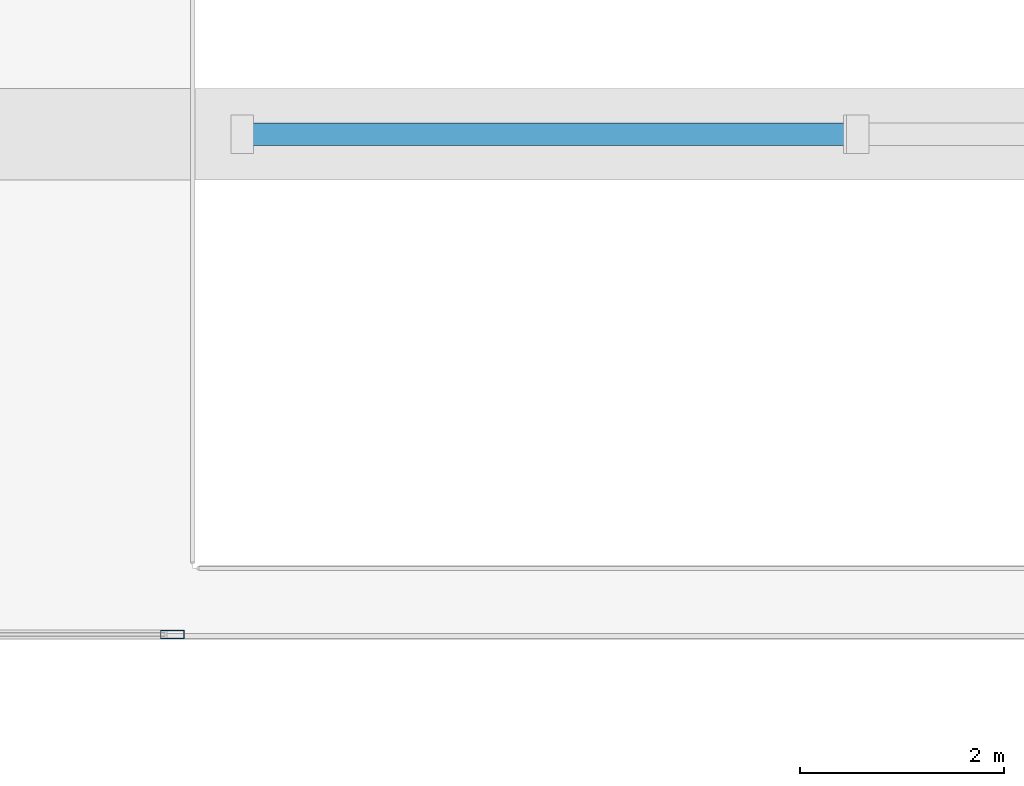
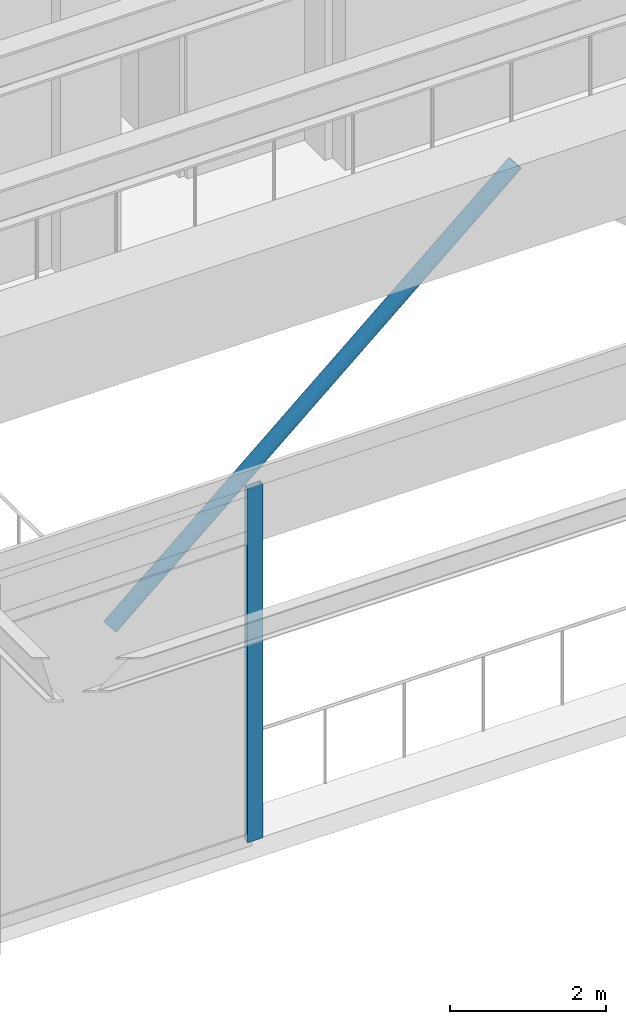
# One storey, part 4 of 26: 2 members, 1 element without a shape of its own.
"""IFC4 building model written with IfcOpenShell, lengths in metres."""

from ifc_helpers import new_model, si_unit, direction, frame, origin, origin_2d, place, context, subcontext, project, spatial, hollow_rectangle, hollow_circle, extrude, material, material_profile, profile_set, type_object, element, aggregate, save


model = new_model("IFC4")

# Units and contexts
model_context = context("Model", 3, precision=1e-05, world=origin(), true_north=direction((0.0, 1.0)))
body_context = subcontext(model_context, "Body", "Model", "MODEL_VIEW")
ifc_project = project(units=[si_unit("LENGTHUNIT", "METRE"), si_unit("AREAUNIT", "SQUARE_METRE"), si_unit("VOLUMEUNIT", "CUBIC_METRE"), si_unit("PLANEANGLEUNIT", "RADIAN"), si_unit("MASSUNIT", "GRAM", prefix="KILO")], contexts=[model_context])

# Site, building, storey
site_placement = place(None, origin())
site = spatial("IfcSite", under=ifc_project, at=site_placement, CompositionType="ELEMENT")
building_placement = place(site_placement, origin())
building = spatial("IfcBuilding", under=site, at=building_placement, Name="Kovane Verandah Tower", CompositionType="ELEMENT")
storey_placement = place(building_placement, frame((0.0, 0.0, 301.0)))
storey = spatial("IfcBuildingStorey", under=building, at=storey_placement, Name="L70", CompositionType="ELEMENT", Elevation=301.0)

# Curtain wall, member
ifc_material_1 = material(Name="Champagne Anodised Aluminium Frame with Low-E Clear Laminated Glass", Category="aluminium")
curtain_wall_type = type_object("IfcCurtainWallType", Name="CW-SYS-05-HIGH", PredefinedType="NOTDEFINED", material=ifc_material_1)
curtain_wall_placement = place(storey_placement, origin())
curtain_wall = element("IfcCurtainWall", 1, at=curtain_wall_placement, inside=storey, type_object=curtain_wall_type, Name="L70 South-West Wind-Portal Curtain Wall 1", PredefinedType="NOTDEFINED")
ifc_material_2 = material(Name="Champagne Anodised Aluminium 6063-T6", Category="aluminium")
ifc_material_profile_1 = material_profile(ifc_material_2, hollow_rectangle(XDim=0.0849609375, YDim=0.22998046875, WallThickness=0.00390625, at=origin_2d()), Name="AL85x230x4")
ifc_profile_set_1 = profile_set([ifc_material_profile_1], Name="Champagne Anodised Aluminium 6063-T6")
member_type_1 = type_object("IfcMemberType", Name="CW-MUL-85x230", PredefinedType="MULLION", material=ifc_profile_set_1)
member_1_placement = place(storey_placement, frame((33.300048828125, 5.89990234375, 0.02001953125), z_axis=(0.0, 0.0, 1.0), x_axis=(0.0, -1.0, 0.0)))
member_1 = element("IfcMember", 2, at=member_1_placement, type_object=member_type_1, Name="L70 South-West Wind-Portal Curtain Wall 1 Mullion 3", PredefinedType="MULLION", context=body_context, shape_type="SweptSolid", body=[
    extrude(hollow_rectangle(XDim=0.0849609375, YDim=0.22998046875, WallThickness=0.00390625, at=origin_2d()), origin(), (0.0, 0.0, 1.0), 5.544921875),
])
aggregate(curtain_wall, [member_1])

# Member
ifc_material_3 = material(Name="Steel S355", Category="steel")
ifc_material_profile_2 = material_profile(ifc_material_3, hollow_circle(Radius=0.109619140625, WallThickness=0.008056640625, at=origin_2d()), Name="CHS219.1x8")
ifc_profile_set_2 = profile_set([ifc_material_profile_2], Name="Steel S355")
member_type_2 = type_object("IfcMemberType", Name="MEM-STRUT-CHS219", PredefinedType="STRUT", material=ifc_profile_set_2)
member_2_placement = place(storey_placement, frame((34.0, 10.800048828125, 0.1201171875), z_axis=(0.757885694827, 0.0, 0.652387364667), x_axis=(0.0, 1.0, 0.0)))
element("IfcMember", 3, at=member_2_placement, inside=storey, type_object=member_type_2, Name="L70 Wind-Portal Aerodynamic V-Strut 2A", PredefinedType="STRUT", context=body_context, shape_type="SweptSolid", body=[
    extrude(hollow_circle(Radius=0.109619140625, WallThickness=0.008056640625, at=origin_2d()), origin(), (0.0, 0.0, 1.0), 7.916748046875),
])

save(model, "model.ifc")
